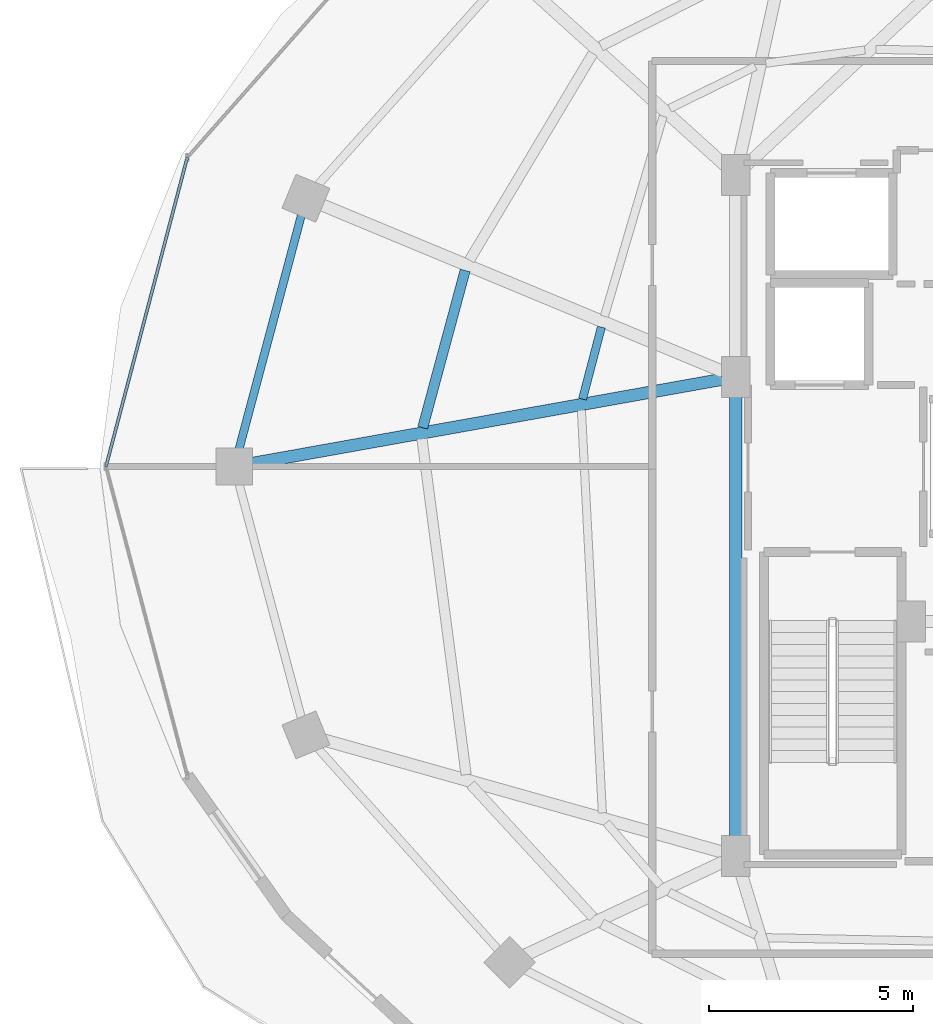
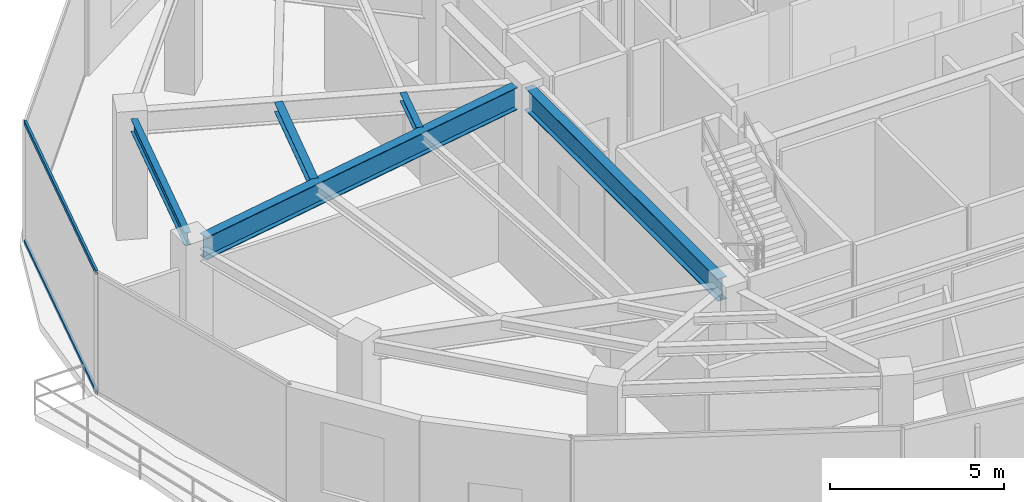
# One storey, part 8 of 27: 5 beams, 2 members, 1 element without a shape of its own.
"""IFC4 building model written with IfcOpenShell, lengths in metres."""

from ifc_helpers import new_model, si_unit, direction, frame, origin, origin_2d, place, context, subcontext, project, spatial, hollow_rectangle, i_section, extrude, material, material_profile, profile_set, type_object, element, aggregate, save


model = new_model("IFC4")

# Units and contexts
model_context = context("Model", 3, precision=1e-05, world=origin(), true_north=direction((0.0, 1.0)))
body_context = subcontext(model_context, "Body", "Model", "MODEL_VIEW")
ifc_project = project(units=[si_unit("LENGTHUNIT", "METRE"), si_unit("AREAUNIT", "SQUARE_METRE"), si_unit("VOLUMEUNIT", "CUBIC_METRE"), si_unit("PLANEANGLEUNIT", "RADIAN"), si_unit("MASSUNIT", "GRAM", prefix="KILO")], contexts=[model_context])

# Site, building, storey
site_placement = place(None, origin())
site = spatial("IfcSite", under=ifc_project, at=site_placement, CompositionType="ELEMENT")
building_placement = place(site_placement, origin())
building = spatial("IfcBuilding", under=site, at=building_placement, Name="Vorneva Point Tower", CompositionType="ELEMENT")
storey_placement = place(building_placement, frame((0.0, 0.0, 229.75)))
storey = spatial("IfcBuildingStorey", under=building, at=storey_placement, Name="L62", CompositionType="ELEMENT", Elevation=229.75)

# Beams
ifc_material_1 = material(Name="Steel S355", Category="steel")
ifc_material_profile_1 = material_profile(ifc_material_1, i_section(OverallWidth=0.300048828125, OverallDepth=0.7880859375, WebThickness=0.014404296875, FlangeThickness=0.02197265625, at=origin_2d()), Name="80Sh1")
ifc_profile_set_1 = profile_set([ifc_material_profile_1], Name="Steel S355")
beam_type_1 = type_object("IfcBeamType", Name="BM-GRD-80Sh1", PredefinedType="USERDEFINED", material=ifc_profile_set_1)
beam_1_placement = place(storey_placement, frame((15.381103515625, 26.0771484375, 3.845947265625), z_axis=(0.984378602255, 0.176064668298, 0.0), x_axis=(-0.176064668298, 0.984378602255, 0.0)))
element("IfcBeam", 1, at=beam_1_placement, inside=storey, type_object=beam_type_1, Name="L62 Radial Primary Girder 09", ObjectType="GIRDER", PredefinedType="USERDEFINED", context=body_context, shape_type="SweptSolid", body=[
    extrude(i_section(OverallWidth=0.300048828125, OverallDepth=0.7880859375, WebThickness=0.014404296875, FlangeThickness=0.02197265625, at=origin_2d()), origin(), (0.0, 0.0, 1.0), 11.71728515625),
])
beam_2_placement = place(storey_placement, frame((27.25, 16.77001953125, 3.845947265625), z_axis=(0.0, 1.0, 0.0), x_axis=(-1.0, 0.0, 0.0)))
element("IfcBeam", 2, at=beam_2_placement, inside=storey, type_object=beam_type_1, Name="L62 Core Tie Girder CT1", ObjectType="GIRDER", PredefinedType="USERDEFINED", context=body_context, shape_type="SweptSolid", body=[
    extrude(i_section(OverallWidth=0.300048828125, OverallDepth=0.7880859375, WebThickness=0.014404296875, FlangeThickness=0.02197265625, at=origin_2d()), origin(), (0.0, 0.0, 1.0), 11.10986328125),
])
ifc_material_profile_2 = material_profile(ifc_material_1, i_section(OverallWidth=0.199951171875, OverallDepth=0.291015625, WebThickness=0.008056640625, FlangeThickness=0.010986328125, at=origin_2d()), Name="30Sh1")
ifc_profile_set_2 = profile_set([ifc_material_profile_2], Name="Steel S355")
beam_type_2 = type_object("IfcBeamType", Name="BM-SEC-30Sh1", PredefinedType="BEAM", material=ifc_profile_set_2)
beam_3_placement = place(storey_placement, frame((23.952880859375, 29.422119140625, 4.094482421875), z_axis=(-0.25336832433, -0.967369883874, 0.0), x_axis=(0.967369883874, -0.25336832433, 0.0)))
element("IfcBeam", 3, at=beam_3_placement, inside=storey, type_object=beam_type_2, Name="L62 Secondary Floor Beam 2.08", PredefinedType="BEAM", context=body_context, shape_type="SweptSolid", body=[
    extrude(i_section(OverallWidth=0.199951171875, OverallDepth=0.291015625, WebThickness=0.008056640625, FlangeThickness=0.010986328125, at=origin_2d()), origin(), (0.0, 0.0, 1.0), 1.826904296875),
])
ifc_material_profile_3 = material_profile(ifc_material_1, i_section(OverallWidth=0.2490234375, OverallDepth=0.333984375, WebThickness=0.008056640625, FlangeThickness=0.010986328125, at=origin_2d()), Name="35Sh1")
ifc_profile_set_3 = profile_set([ifc_material_profile_3], Name="Steel S355")
beam_type_3 = type_object("IfcBeamType", Name="BM-SEC-35Sh1", PredefinedType="BEAM", material=ifc_profile_set_3)
beam_4_placement = place(storey_placement, frame((20.61083984375, 30.810791015625, 4.072998046875), z_axis=(-0.260635102056, -0.965437384596, 0.0), x_axis=(0.965437384596, -0.260635102056, 0.0)))
element("IfcBeam", 4, at=beam_4_placement, inside=storey, type_object=beam_type_3, Name="L62 Secondary Floor Beam 1.08", PredefinedType="BEAM", context=body_context, shape_type="SweptSolid", body=[
    extrude(i_section(OverallWidth=0.2490234375, OverallDepth=0.333984375, WebThickness=0.008056640625, FlangeThickness=0.010986328125, at=origin_2d()), origin(), (0.0, 0.0, 1.0), 3.99609375),
])
ifc_material_profile_4 = material_profile(ifc_material_1, i_section(OverallWidth=0.198974609375, OverallDepth=0.446044921875, WebThickness=0.008056640625, FlangeThickness=0.011962890625, at=origin_2d()), Name="45B1")
ifc_profile_set_4 = profile_set([ifc_material_profile_4], Name="Steel S355")
beam_type_4 = type_object("IfcBeamType", Name="BM-SPN-45B1", PredefinedType="SPANDREL", material=ifc_profile_set_4)
beam_5_placement = place(storey_placement, frame((16.592529296875, 32.161865234375, 4.01708984375), z_axis=(-0.257578258003, -0.966257440336, 0.0), x_axis=(0.966257440336, -0.257578258003, 0.0)))
element("IfcBeam", 5, at=beam_5_placement, inside=storey, type_object=beam_type_4, Name="L62 Perimeter Spandrel Ring Beam 08", PredefinedType="SPANDREL", context=body_context, shape_type="SweptSolid", body=[
    extrude(i_section(OverallWidth=0.198974609375, OverallDepth=0.446044921875, WebThickness=0.008056640625, FlangeThickness=0.011962890625, at=origin_2d()), origin(), (0.0, 0.0, 1.0), 5.94189453125),
])

# Curtain wall, members
ifc_material_2 = material(Name="Pale anodised aluminium", Category="aluminium")
curtain_wall_type = type_object("IfcCurtainWallType", Name="CW-SKY-SYS", PredefinedType="NOTDEFINED", material=ifc_material_2)
curtain_wall_placement = place(storey_placement, origin())
curtain_wall = element("IfcCurtainWall", 6, at=curtain_wall_placement, inside=storey, type_object=curtain_wall_type, Name="L62 Unitised Curtain Wall CW-L62-R03", PredefinedType="NOTDEFINED")
ifc_material_profile_5 = material_profile(ifc_material_2, hollow_rectangle(XDim=0.074951171875, YDim=0.14990234375, WallThickness=0.00390625, at=origin_2d()), Name="AL-TRN 150x75x4")
ifc_profile_set_5 = profile_set([ifc_material_profile_5], Name="Pale anodised aluminium")
member_type = type_object("IfcMemberType", Name="CW-TRN-150", PredefinedType="USERDEFINED", material=ifc_profile_set_5)
member_1_placement = place(storey_placement, frame((13.79443359375, 33.5810546875, 0.02001953125), z_axis=(-0.254418180926, -0.967094302131, 0.0), x_axis=(0.967094302131, -0.254418180926, 0.0)))
member_1 = element("IfcMember", 7, at=member_1_placement, type_object=member_type, Name="CW-L62-R03 Transom 02.1", ObjectType="TRANSOM", PredefinedType="USERDEFINED", context=body_context, shape_type="SweptSolid", body=[
    extrude(hollow_rectangle(XDim=0.074951171875, YDim=0.14990234375, WallThickness=0.00390625, at=origin_2d()), origin(), (0.0, 0.0, 1.0), 7.839111328125),
])
member_2_placement = place(storey_placement, frame((13.79443359375, 33.5810546875, 4.219970703125), z_axis=(-0.254418180926, -0.967094302131, 0.0), x_axis=(0.967094302131, -0.254418180926, 0.0)))
member_2 = element("IfcMember", 8, at=member_2_placement, type_object=member_type, Name="CW-L62-R03 Transom 02.2", ObjectType="TRANSOM", PredefinedType="USERDEFINED", context=body_context, shape_type="SweptSolid", body=[
    extrude(hollow_rectangle(XDim=0.074951171875, YDim=0.14990234375, WallThickness=0.00390625, at=origin_2d()), origin(), (0.0, 0.0, 1.0), 7.839111328125),
])
aggregate(curtain_wall, [member_1, member_2])

save(model, "model.ifc")
